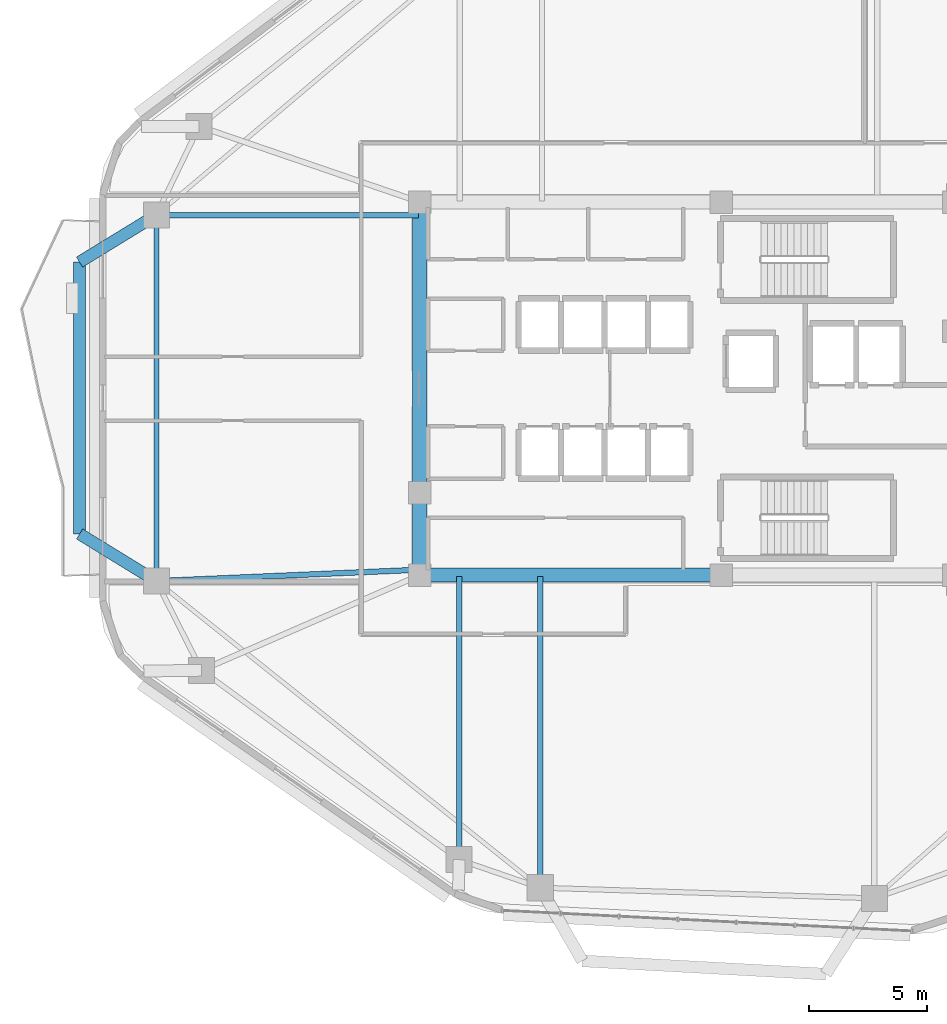
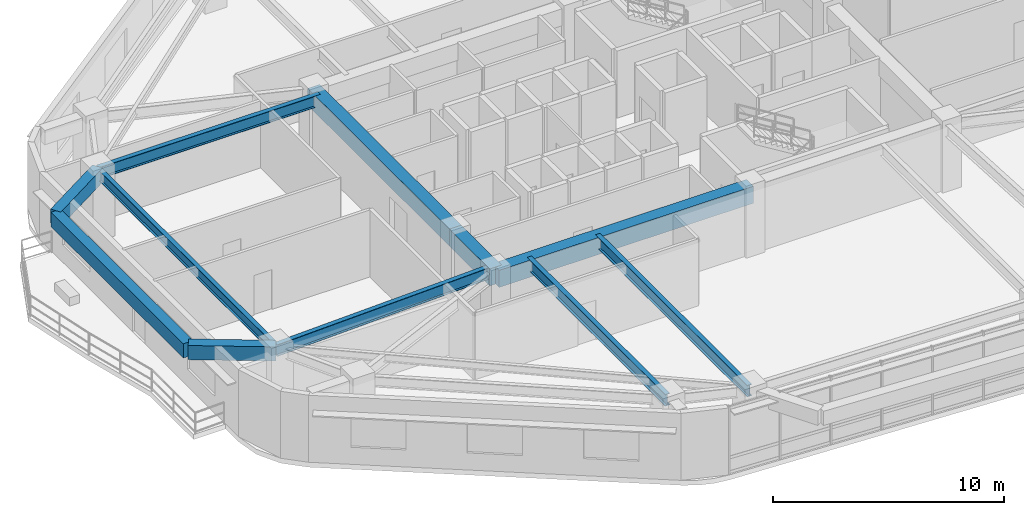
# One storey, part 5 of 14: 11 beams.
"""IFC4 building model written with IfcOpenShell, lengths in metres."""

from ifc_helpers import new_model, si_unit, direction, frame, origin, origin_2d, place, context, subcontext, project, spatial, rectangle, i_section, extrude, material, material_profile, profile_set, type_object, element, save


model = new_model("IFC4")

# Units and contexts
model_context = context("Model", 3, precision=1e-05, world=origin(), true_north=direction((0.0, 1.0)))
body_context = subcontext(model_context, "Body", "Model", "MODEL_VIEW")
ifc_project = project(units=[si_unit("LENGTHUNIT", "METRE"), si_unit("AREAUNIT", "SQUARE_METRE"), si_unit("VOLUMEUNIT", "CUBIC_METRE"), si_unit("PLANEANGLEUNIT", "RADIAN"), si_unit("MASSUNIT", "GRAM", prefix="KILO")], contexts=[model_context])

# Site, building, storey
site_placement = place(None, origin())
site = spatial("IfcSite", under=ifc_project, at=site_placement, CompositionType="ELEMENT")
building_placement = place(site_placement, origin())
building = spatial("IfcBuilding", under=site, at=building_placement, Name="Zulverin Broadcast Headquarters", CompositionType="ELEMENT")
storey_placement = place(building_placement, frame((0.0, 0.0, 140.199951171875)))
storey = spatial("IfcBuildingStorey", under=building, at=storey_placement, Name="L35", CompositionType="ELEMENT", Elevation=140.199951171875)

# Beams
ifc_material_1 = material(Name="Concrete C60/75", Category="concrete")
ifc_material_profile_1 = material_profile(ifc_material_1, rectangle(XDim=0.60009765625, YDim=0.89990234375, at=origin_2d()), Name="Concrete C60/75", Category="concrete")
ifc_profile_set_1 = profile_set([ifc_material_profile_1], Name="Concrete C60/75")
beam_type_1 = type_object("IfcBeamType", Name="BM-CB-600x900", PredefinedType="LINTEL", material=ifc_profile_set_1)
beam_1_placement = place(storey_placement, frame((25.72509765625, 17.324951171875, 3.090087890625), z_axis=(1.0, 0.0, 0.0), x_axis=(0.0, 1.0, 0.0)))
element("IfcBeam", 1, at=beam_1_placement, inside=storey, type_object=beam_type_1, Name="L35 Core Coupling Girder K01-K02", PredefinedType="LINTEL", context=body_context, shape_type="SweptSolid", body=[
    extrude(rectangle(XDim=0.60009765625, YDim=0.89990234375, at=origin_2d()), origin(), (0.0, 0.0, 1.0), 12.724853515625),
])
beam_2_placement = place(storey_placement, frame((25.72509765625, 33.074951171875, 3.090087890625), z_axis=(0.0, -1.0, 0.0), x_axis=(1.0, 0.0, 0.0)))
element("IfcBeam", 2, at=beam_2_placement, inside=storey, type_object=beam_type_1, Name="L35 Core Coupling Girder K07-K08", PredefinedType="LINTEL", context=body_context, shape_type="SweptSolid", body=[
    extrude(rectangle(XDim=0.60009765625, YDim=0.89990234375, at=origin_2d()), origin(), (0.0, 0.0, 1.0), 12.27490234375),
])
beam_3_placement = place(storey_placement, frame((25.72509765625, 20.800048828125, 3.090087890625), z_axis=(0.0, -1.0, 0.0), x_axis=(1.0, 0.0, 0.0)))
element("IfcBeam", 3, at=beam_3_placement, inside=storey, type_object=beam_type_1, Name="L35 Core Coupling Girder K08-K01", PredefinedType="LINTEL", context=body_context, shape_type="SweptSolid", body=[
    extrude(rectangle(XDim=0.60009765625, YDim=0.89990234375, at=origin_2d()), origin(), (0.0, 0.0, 1.0), 3.47509765625),
])
ifc_material_2 = material(Name="Concrete C40/50", Category="concrete")
ifc_material_profile_2 = material_profile(ifc_material_2, rectangle(XDim=0.5, YDim=0.75, at=origin_2d()), Name="Concrete C40/50", Category="concrete")
ifc_profile_set_2 = profile_set([ifc_material_profile_2], Name="Concrete C40/50")
beam_type_2 = type_object("IfcBeamType", Name="BM-RC-500x750", PredefinedType="BEAM", material=ifc_profile_set_2)
beam_4_placement = place(storey_placement, frame((14.60009765625, 32.523193359375, 3.1650390625), z_axis=(-0.852717571214, -0.522372227194, 0.0), x_axis=(0.522372227194, -0.852717571214, 0.0)))
element("IfcBeam", 4, at=beam_4_placement, inside=storey, type_object=beam_type_2, Name="L36 Balcony Column-Framed Cantilever BAL_W-1", PredefinedType="BEAM", context=body_context, shape_type="SweptSolid", body=[
    extrude(rectangle(XDim=0.5, YDim=0.75, at=origin_2d()), origin(), (0.0, 0.0, 1.0), 3.80029296875),
])
beam_5_placement = place(storey_placement, frame((14.60009765625, 17.072021484375, 3.1650390625), z_axis=(-0.851870018849, 0.523753253915, 0.0), x_axis=(-0.523753253915, -0.851870018849, 0.0)))
element("IfcBeam", 5, at=beam_5_placement, inside=storey, type_object=beam_type_2, Name="L36 Balcony Column-Framed Cantilever BAL_W-2", PredefinedType="BEAM", context=body_context, shape_type="SweptSolid", body=[
    extrude(rectangle(XDim=0.5, YDim=0.75, at=origin_2d()), origin(), (0.0, 0.0, 1.0), 3.800048828125),
])
beam_6_placement = place(storey_placement, frame((11.359619140625, 30.5380859375, 3.1650390625), z_axis=(0.000297840642, -0.999999955645, 0.0), x_axis=(0.999999955645, 0.000297840642, 0.0)))
element("IfcBeam", 6, at=beam_6_placement, inside=storey, type_object=beam_type_2, Name="L36 Balcony Outer Edge Trimmer Beam BAL_W", PredefinedType="BEAM", context=body_context, shape_type="SweptSolid", body=[
    extrude(rectangle(XDim=0.5, YDim=0.75, at=origin_2d()), origin(), (0.0, 0.0, 1.0), 11.475830078125),
])
ifc_material_3 = material(Name="Structural steel S355JR", Category="steel")
ifc_material_profile_3 = material_profile(ifc_material_3, i_section(OverallWidth=0.2119140625, OverallDepth=0.54443359375, WebThickness=0.0126953125, FlangeThickness=0.021240234375, at=origin_2d()), Name="Structural steel S355JR", Category="steel")
ifc_profile_set_3 = profile_set([ifc_material_profile_3], Name="Structural steel S355JR")
beam_type_3 = type_object("IfcBeamType", Name="BM-UB-533", PredefinedType="SPANDREL", material=ifc_profile_set_3)
beam_7_placement = place(storey_placement, frame((14.60009765625, 32.523193359375, 3.267822265625), z_axis=(0.0, -1.0, 0.0), x_axis=(1.0, 0.0, 0.0)))
element("IfcBeam", 7, at=beam_7_placement, inside=storey, type_object=beam_type_3, Name="L35 Perimeter Spandrel Beam SP-13", PredefinedType="SPANDREL", context=body_context, shape_type="SweptSolid", body=[
    extrude(i_section(OverallWidth=0.2119140625, OverallDepth=0.54443359375, WebThickness=0.0126953125, FlangeThickness=0.021240234375, at=origin_2d()), origin(), (0.0, 0.0, 1.0), 15.451171875),
])
ifc_material_profile_4 = material_profile(ifc_material_3, i_section(OverallWidth=0.230224609375, OverallDepth=0.6171875, WebThickness=0.01318359375, FlangeThickness=0.022216796875, at=origin_2d()), Name="Structural steel S355JR", Category="steel")
ifc_profile_set_4 = profile_set([ifc_material_profile_4], Name="Structural steel S355JR")
beam_type_4 = type_object("IfcBeamType", Name="BM-UB-610", PredefinedType="BEAM", material=ifc_profile_set_4)
beam_8_placement = place(storey_placement, frame((30.80859375, 17.27490234375, 3.2314453125), z_axis=(0.0, -1.0, 0.0), x_axis=(1.0, 0.0, 0.0)))
element("IfcBeam", 8, at=beam_8_placement, inside=storey, type_object=beam_type_4, Name="L35 Radial Primary Floor Beam RB-01", PredefinedType="BEAM", context=body_context, shape_type="SweptSolid", body=[
    extrude(i_section(OverallWidth=0.230224609375, OverallDepth=0.6171875, WebThickness=0.01318359375, FlangeThickness=0.022216796875, at=origin_2d()), origin(), (0.0, 0.0, 1.0), 13.1474609375),
])
beam_9_placement = place(storey_placement, frame((25.675048828125, 32.523193359375, 3.2314453125), z_axis=(-1.0, 0.0, 0.0), x_axis=(0.0, -1.0, 0.0)))
element("IfcBeam", 9, at=beam_9_placement, inside=storey, type_object=beam_type_4, Name="L35 Radial Primary Floor Beam RB-13", PredefinedType="BEAM", context=body_context, shape_type="SweptSolid", body=[
    extrude(i_section(OverallWidth=0.230224609375, OverallDepth=0.6171875, WebThickness=0.01318359375, FlangeThickness=0.022216796875, at=origin_2d()), origin(), (0.0, 0.0, 1.0), 11.074951171875),
])
beam_10_placement = place(storey_placement, frame((25.675048828125, 17.550048828125, 3.2314453125), z_axis=(-0.999069780306, -0.043122779134, 0.0), x_axis=(0.043122779134, -0.999069780306, 0.0)))
element("IfcBeam", 10, at=beam_10_placement, inside=storey, type_object=beam_type_4, Name="L35 Radial Primary Floor Beam RB-14", PredefinedType="BEAM", context=body_context, shape_type="SweptSolid", body=[
    extrude(i_section(OverallWidth=0.230224609375, OverallDepth=0.6171875, WebThickness=0.01318359375, FlangeThickness=0.022216796875, at=origin_2d()), origin(), (0.0, 0.0, 1.0), 11.085205078125),
])
beam_11_placement = place(storey_placement, frame((27.38720703125, 17.27490234375, 3.2314453125), z_axis=(0.0, -1.0, 0.0), x_axis=(1.0, 0.0, 0.0)))
element("IfcBeam", 11, at=beam_11_placement, inside=storey, type_object=beam_type_4, Name="L35 Radial Primary Floor Beam RB-16", PredefinedType="BEAM", context=body_context, shape_type="SweptSolid", body=[
    extrude(i_section(OverallWidth=0.230224609375, OverallDepth=0.6171875, WebThickness=0.01318359375, FlangeThickness=0.022216796875, at=origin_2d()), origin(), (0.0, 0.0, 1.0), 11.965087890625),
])

save(model, "model.ifc")
